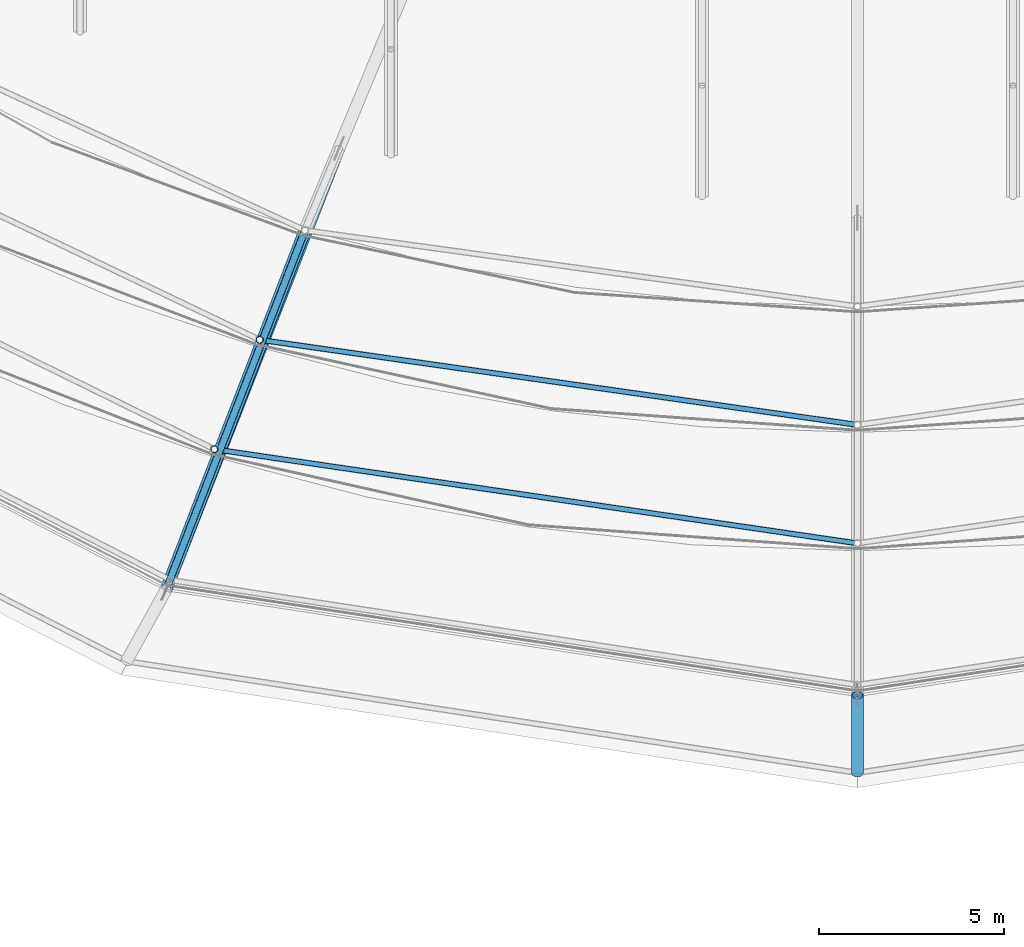
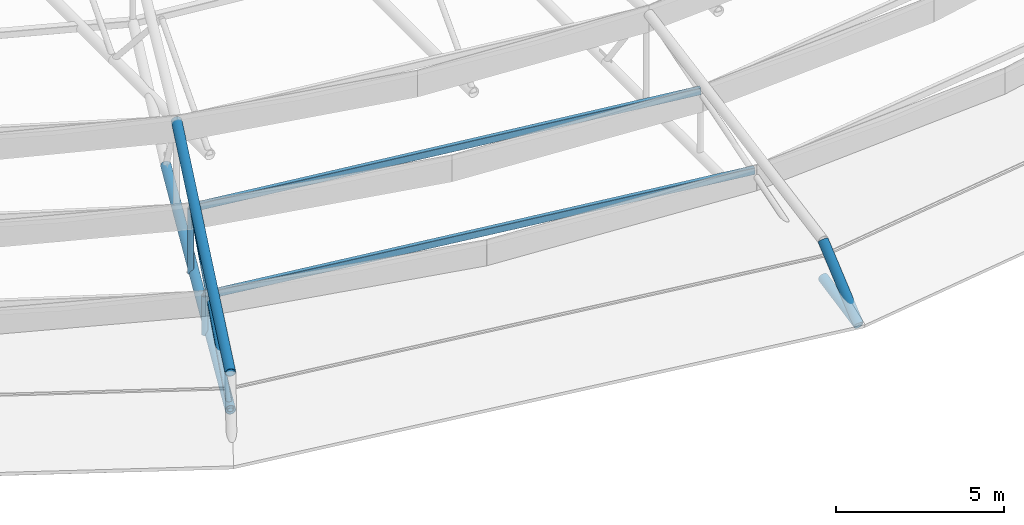
# One storey, part 10 of 134: 7 members, 2 beams.
"""IFC4 building model written with IfcOpenShell, lengths in metres."""

from ifc_helpers import new_model, si_unit, derived_unit, direction, frame, origin, origin_2d, place, context, subcontext, project, spatial, hollow_rectangle, hollow_circle, extrude, material, material_profile, profile_set, type_object, element, save


model = new_model("IFC4")

# Units and contexts
model_context = context("Model", 3, precision=1e-05, world=origin(), true_north=direction((0.0, 1.0)))
body_context = subcontext(model_context, "Body", "Model", "MODEL_VIEW")
ifc_project = project(units=[si_unit("LENGTHUNIT", "METRE"), si_unit("AREAUNIT", "SQUARE_METRE"), si_unit("VOLUMEUNIT", "CUBIC_METRE"), si_unit("PLANEANGLEUNIT", "RADIAN"), si_unit("MASSUNIT", "GRAM", prefix="KILO"), derived_unit("THERMALTRANSMITTANCEUNIT", [(si_unit("MASSUNIT", "GRAM", prefix="KILO"), 1), (si_unit("TIMEUNIT", "SECOND"), -3), (si_unit("THERMODYNAMICTEMPERATUREUNIT", "KELVIN"), -1)])], contexts=[model_context])

# Site, building, storey
site_placement = place(None, origin())
site = spatial("IfcSite", under=ifc_project, at=site_placement, CompositionType="ELEMENT")
building_placement = place(site_placement, origin())
building = spatial("IfcBuilding", under=site, at=building_placement, Name="Kharveza Railside Sports Centre", CompositionType="ELEMENT")
storey_placement = place(building_placement, frame((0.0, 0.0, 12.89990234375)))
storey = spatial("IfcBuildingStorey", under=building, at=storey_placement, Name="L03", CompositionType="ELEMENT", Elevation=12.89990234375)

# Beams
ifc_material = material(Name="Steel S355J2", Category="steel")
ifc_material_profile_1 = material_profile(ifc_material, hollow_rectangle(XDim=0.14990234375, YDim=0.25, WallThickness=0.010009765625, InnerFilletRadius=0.010009765625, OuterFilletRadius=0.02001953125, at=origin_2d()), Name="RHS 150x250x10.0")
ifc_profile_set_1 = profile_set([ifc_material_profile_1], Name="Steel S355J2")
beam_type = type_object("IfcBeamType", Name="BM-SP04", PredefinedType="SPANDREL", material=ifc_profile_set_1)
beam_1_placement = place(storey_placement, frame((37.22607421875, 19.54248046875, 1.35498046875), z_axis=(0.989461549998, -0.144795860009, 0.0), x_axis=(0.144795860009, 0.989461549998, 0.0)))
element("IfcBeam", 1, at=beam_1_placement, inside=storey, type_object=beam_type, Name="BM-LIDRING-S2-12", PredefinedType="SPANDREL", context=body_context, shape_type="SweptSolid", body=[
    extrude(hollow_rectangle(XDim=0.14990234375, YDim=0.25, WallThickness=0.010009765625, InnerFilletRadius=0.010009765625, OuterFilletRadius=0.02001953125, at=origin_2d()), origin(), (0.0, 0.0, 1.0), 17.55908203125),
])
beam_2_placement = place(storey_placement, frame((38.45068359375, 22.498779296875, 2.30517578125), z_axis=(0.990020013174, -0.140926837456, 0.0), x_axis=(0.140926837456, 0.990020013174, 0.0)))
element("IfcBeam", 2, at=beam_2_placement, inside=storey, type_object=beam_type, Name="BM-LIDRING-S3-12", PredefinedType="SPANDREL", context=body_context, shape_type="SweptSolid", body=[
    extrude(hollow_rectangle(XDim=0.14990234375, YDim=0.25, WallThickness=0.010009765625, InnerFilletRadius=0.010009765625, OuterFilletRadius=0.02001953125, at=origin_2d()), origin(), (0.0, 0.0, 1.0), 16.312255859375),
])

# Members
ifc_material_profile_2 = material_profile(ifc_material, hollow_circle(Radius=0.161865234375, WallThickness=0.01611328125, at=origin_2d()), Name="CHS 323.9x16.0")
ifc_profile_set_2 = profile_set([ifc_material_profile_2], Name="Steel S355J2")
member_type_1 = type_object("IfcMemberType", Name="MB-CH02", PredefinedType="CHORD", material=ifc_profile_set_2)
member_1_placement = place(storey_placement, frame((40.59375, 27.672607421875, -0.0498046875), z_axis=(-0.364741645543, -0.931108764864, 0.0), x_axis=(0.931108764864, -0.364741645543, 0.0)))
element("IfcMember", 3, at=member_1_placement, inside=storey, type_object=member_type_1, Name="MB-OUT-BC2-12", PredefinedType="CHORD", context=body_context, shape_type="SweptSolid", body=[
    extrude(hollow_circle(Radius=0.161865234375, WallThickness=0.01611328125, at=origin_2d()), origin(), (0.0, 0.0, 1.0), 12.800048828125),
])
member_2_placement = place(storey_placement, frame((39.67529296875, 25.455322265625, 3.25), z_axis=(-0.354404889176, -0.916755307039, -0.184273930724), x_axis=(0.93272834986, -0.360579846035, 0.0)))
element("IfcMember", 4, at=member_2_placement, inside=storey, type_object=member_type_1, Name="MB-OUT-TC2-12", PredefinedType="CHORD", context=body_context, shape_type="SweptSolid", body=[
    extrude(hollow_circle(Radius=0.161865234375, WallThickness=0.01611328125, at=origin_2d()), origin(), (0.0, 0.0, 1.0), 10.581787109375),
])
member_3_placement = place(storey_placement, frame((54.60009765625, 12.89990234375, -0.0498046875), z_axis=(0.0, -0.979654408258, -0.200691904122), x_axis=(1.0, 0.0, 0.0)))
element("IfcMember", 5, at=member_3_placement, inside=storey, type_object=member_type_1, Name="MB-OUT-BC3-13", PredefinedType="CHORD", context=body_context, shape_type="SweptSolid", body=[
    extrude(hollow_circle(Radius=0.161865234375, WallThickness=0.01611328125, at=origin_2d()), origin(), (0.0, 0.0, 1.0), 2.1435546875),
])
member_4_placement = place(storey_placement, frame((54.60009765625, 12.89990234375, 1.300048828125), z_axis=(0.0, -0.76280736493, -0.646625799059), x_axis=(1.0, 0.0, 0.0)))
element("IfcMember", 6, at=member_4_placement, inside=storey, type_object=member_type_1, Name="MB-OUT-TC3-13", PredefinedType="CHORD", context=body_context, shape_type="SweptSolid", body=[
    extrude(hollow_circle(Radius=0.161865234375, WallThickness=0.01611328125, at=origin_2d()), origin(), (0.0, 0.0, 1.0), 2.752685546875),
])
ifc_material_profile_3 = material_profile(ifc_material, hollow_circle(Radius=0.096923828125, WallThickness=0.010009765625, at=origin_2d()), Name="CHS 193.7x10.0")
ifc_profile_set_3 = profile_set([ifc_material_profile_3], Name="Steel S355J2")
member_type_2 = type_object("IfcMemberType", Name="MB-ST02", PredefinedType="STRUT", material=ifc_profile_set_3)
member_5_placement = place(storey_placement, frame((37.22607421875, 19.54248046875, -0.0498046875), z_axis=(0.0, 0.0, 1.0), x_axis=(1.0, 0.0, 0.0)))
element("IfcMember", 7, at=member_5_placement, inside=storey, type_object=member_type_2, Name="MB-LIDPOST-S2-12", PredefinedType="STRUT", context=body_context, shape_type="SweptSolid", body=[
    extrude(hollow_circle(Radius=0.096923828125, WallThickness=0.010009765625, at=origin_2d()), origin(), (0.0, 0.0, 1.0), 1.40478515625),
])
member_6_placement = place(storey_placement, frame((38.45068359375, 22.498779296875, -0.0498046875), z_axis=(0.0, 0.0, 1.0), x_axis=(1.0, 0.0, 0.0)))
element("IfcMember", 8, at=member_6_placement, inside=storey, type_object=member_type_2, Name="MB-LIDPOST-S3-12", PredefinedType="STRUT", context=body_context, shape_type="SweptSolid", body=[
    extrude(hollow_circle(Radius=0.096923828125, WallThickness=0.010009765625, at=origin_2d()), origin(), (0.0, 0.0, 1.0), 2.35498046875),
])
member_7_placement = place(storey_placement, frame((39.67529296875, 25.455322265625, 3.25), z_axis=(-0.34369617862, -0.88905459654, -0.302415047863), x_axis=(0.93272834986, -0.360579846035, 0.0)))
element("IfcMember", 9, at=member_7_placement, inside=storey, type_object=member_type_2, Name="MB-OUT-WEB-12-3", PredefinedType="STRUT", context=body_context, shape_type="SweptSolid", body=[
    extrude(hollow_circle(Radius=0.096923828125, WallThickness=0.010009765625, at=origin_2d()), origin(), (0.0, 0.0, 1.0), 10.91162109375),
])

save(model, "model.ifc")
